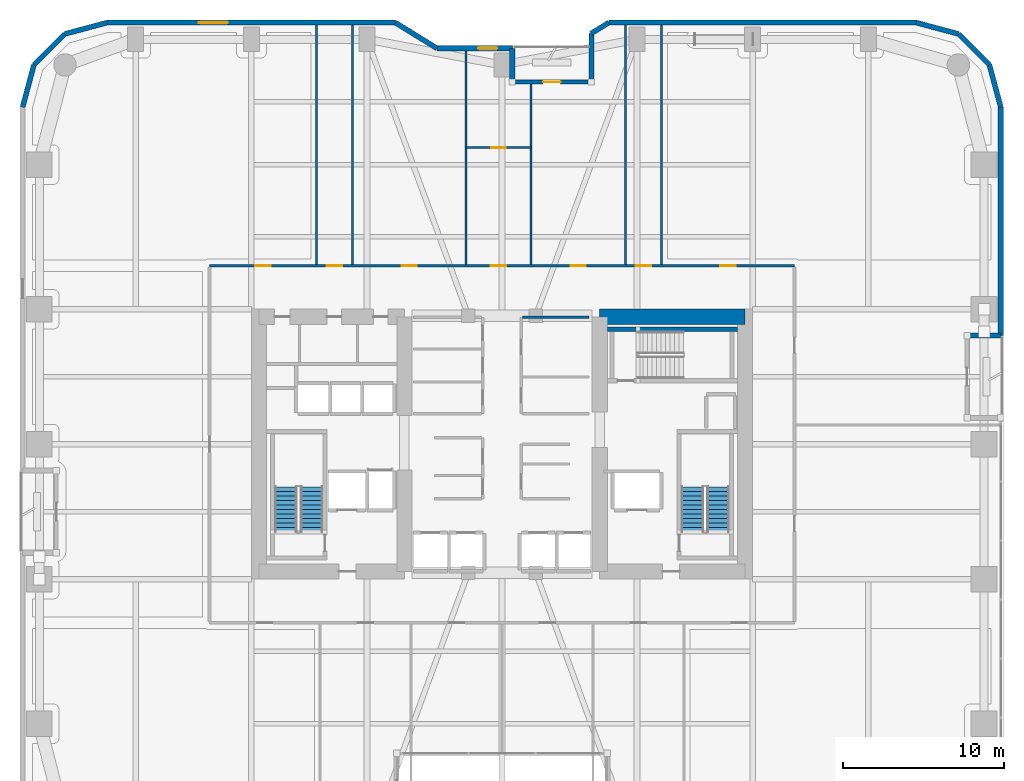
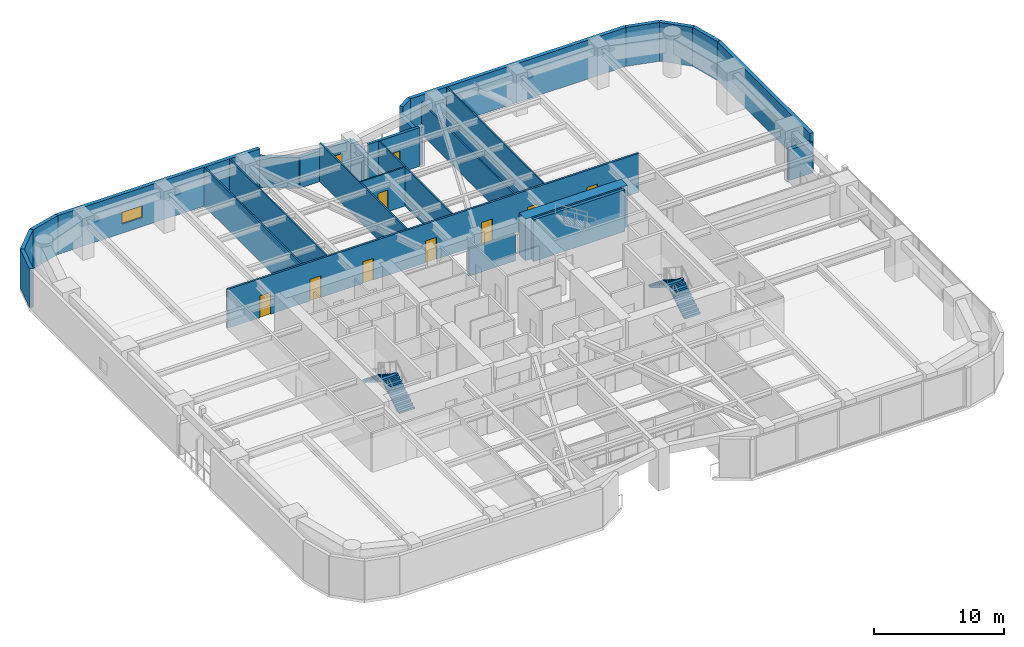
# One storey, part 21 of 26: 27 walls, 9 doors, 4 stair flights, 2 windows, 11 openings, 2 elements without a shape of their own.
"""IFC4 building model written with IfcOpenShell, lengths in metres."""

from ifc_helpers import new_model, si_unit, direction, frame, frame_2d, origin, place, context, subcontext, project, spatial, polyline, rectangle, outline, extrude, material, layer, layer_set, type_object, element, fill, aggregate, save


model = new_model("IFC4")

# Units and contexts
model_context = context("Model", 3, precision=1e-05, world=origin(), true_north=direction((0.0, 1.0)))
body_context = subcontext(model_context, "Body", "Model", "MODEL_VIEW")
ifc_project = project(units=[si_unit("LENGTHUNIT", "METRE"), si_unit("AREAUNIT", "SQUARE_METRE"), si_unit("VOLUMEUNIT", "CUBIC_METRE"), si_unit("PLANEANGLEUNIT", "RADIAN"), si_unit("MASSUNIT", "GRAM", prefix="KILO")], contexts=[model_context])

# Site, building, storey
site_placement = place(None, origin())
site = spatial("IfcSite", under=ifc_project, at=site_placement, CompositionType="ELEMENT")
building_placement = place(site_placement, origin())
building = spatial("IfcBuilding", under=site, at=building_placement, Name="Kiyonajd Concourse Tower", CompositionType="ELEMENT")
storey_placement = place(building_placement, frame((0.0, 0.0, 72.89990234375)))
storey = spatial("IfcBuildingStorey", under=building, at=storey_placement, Name="L19", CompositionType="ELEMENT", Elevation=72.89990234375)

# Walls
ifc_material_1 = material(Name="Concrete C80/95", Category="concrete")
ifc_layer_1 = layer(ifc_material_1, 0.949951171875)
ifc_layer_set_1 = layer_set([ifc_layer_1], Name="Concrete C80/95")
wall_type_1 = type_object("IfcWallType", Name="WL-CORE-950", PredefinedType="SHEAR", material=ifc_layer_set_1)
wall_1_placement = place(storey_placement, frame((54.074951171875, 43.925048828125, 0.0), z_axis=(0.0, 0.0, 1.0), x_axis=(1.0, 0.0, 0.0)))
element("IfcWall", 1, at=wall_1_placement, inside=storey, type_object=wall_type_1, Name="L19 East Core North Shear Wall", PredefinedType="SHEAR", context=body_context, shape_type="SweptSolid", body=[
    extrude(rectangle(XDim=9.050048828125, YDim=0.949951171875, at=frame_2d((4.52490234375, 0.0))), origin(), (0.0, 0.0, 1.0), 3.900146484375),
])
ifc_material_2 = material(Name="Precast concrete C50/60", Category="concrete")
ifc_layer_2 = layer(ifc_material_2, 0.320068359375)
ifc_layer_set_2 = layer_set([ifc_layer_2], Name="Precast concrete C50/60")
wall_type_2 = type_object("IfcWallType", Name="WL-EXT-320", PredefinedType="SOLIDWALL", material=ifc_layer_set_2)
wall_2_placement = place(storey_placement, frame((78.33349609375, 59.6171875, 0.0), z_axis=(0.0, 0.0, 1.0), x_axis=(0.25869736047, -0.965958423373, 0.0)))
element("IfcWall", 2, at=wall_2_placement, inside=storey, type_object=wall_type_2, Name="L19 Exterior Concrete Frame Wall 00", PredefinedType="SOLIDWALL", context=body_context, shape_type="SweptSolid", body=[
    extrude(rectangle(XDim=2.731201171875, YDim=0.320068359375, at=frame_2d((1.36572265625, 0.0))), origin(), (0.0, 0.0, 1.0), 3.64013671875),
])
wall_3_placement = place(storey_placement, frame((79.0400390625, 56.97900390625, 0.0), z_axis=(0.0, 0.0, 1.0), x_axis=(0.0, -1.0, 0.0)))
element("IfcWall", 3, at=wall_3_placement, inside=storey, type_object=wall_type_2, Name="L19 Exterior Concrete Frame Wall 01", PredefinedType="SOLIDWALL", context=body_context, shape_type="SweptSolid", body=[
    extrude(rectangle(XDim=14.218994140625, YDim=0.320068359375, at=frame_2d((7.109375, 0.0))), origin(), (0.0, 0.0, 1.0), 3.64013671875),
])
wall_4_placement = place(storey_placement, frame((79.0400390625, 42.760009765625, 0.0), z_axis=(0.0, 0.0, 1.0), x_axis=(-1.0, 0.0, 0.0)))
element("IfcWall", 4, at=wall_4_placement, inside=storey, type_object=wall_type_2, Name="L19 Exterior Concrete Frame Wall 02", PredefinedType="SOLIDWALL", context=body_context, shape_type="SweptSolid", body=[
    extrude(rectangle(XDim=2.10009765625, YDim=0.320068359375, at=frame_2d((1.050048828125, 0.0))), origin(), (0.0, 0.0, 1.0), 2.875),
])
wall_5_placement = place(storey_placement, frame((18.159912109375, 56.97900390625, 0.0), z_axis=(0.0, 0.0, 1.0), x_axis=(0.25869736047, 0.965958423373, 0.0)))
element("IfcWall", 5, at=wall_5_placement, inside=storey, type_object=wall_type_2, Name="L19 Exterior Concrete Frame Wall 26", PredefinedType="SOLIDWALL", context=body_context, shape_type="SweptSolid", body=[
    extrude(rectangle(XDim=2.731201171875, YDim=0.320068359375, at=frame_2d((1.36572265625, 0.0))), origin(), (0.0, 0.0, 1.0), 3.64013671875),
])
wall_6_placement = place(storey_placement, frame((18.866455078125, 59.6171875, 0.0), z_axis=(0.0, 0.0, 1.0), x_axis=(0.707106781187, 0.707106781187, 0.0)))
element("IfcWall", 6, at=wall_6_placement, inside=storey, type_object=wall_type_2, Name="L19 Exterior Concrete Frame Wall 27", PredefinedType="SOLIDWALL", context=body_context, shape_type="SweptSolid", body=[
    extrude(rectangle(XDim=2.7099609375, YDim=0.320068359375, at=frame_2d((1.35498046875, 0.0))), origin(), (0.0, 0.0, 1.0), 3.64013671875),
])
wall_7_placement = place(storey_placement, frame((20.78271484375, 61.533447265625, 0.0), z_axis=(0.0, 0.0, 1.0), x_axis=(0.965964405026, 0.25867502435, 0.0)))
element("IfcWall", 7, at=wall_7_placement, inside=storey, type_object=wall_type_2, Name="L19 Exterior Concrete Frame Wall 28", PredefinedType="SOLIDWALL", context=body_context, shape_type="SweptSolid", body=[
    extrude(rectangle(XDim=2.7314453125, YDim=0.320068359375, at=frame_2d((1.36572265625, 0.0))), origin(), (0.0, 0.0, 1.0), 3.64013671875),
])

# Wall, opening, window
wall_8_placement = place(storey_placement, frame((23.421142578125, 62.239990234375, 0.0), z_axis=(0.0, 0.0, 1.0), x_axis=(1.0, 0.0, 0.0)))
wall_8 = element("IfcWall", 8, at=wall_8_placement, inside=storey, type_object=wall_type_2, Name="L19 Exterior Concrete Frame Wall 29", PredefinedType="SOLIDWALL", context=body_context, shape_type="SweptSolid", body=[
    extrude(rectangle(XDim=17.93359375, YDim=0.320068359375, at=frame_2d((8.966796875, 0.0))), origin(), (0.0, 0.0, 1.0), 3.64013671875),
])
opening_1_placement = place(wall_8_placement, frame((5.714111328125, 0.0, 0.85009765625)))
opening_1 = element("IfcOpeningElement", 9, at=opening_1_placement, cuts=wall_8, Name="Opening WN1", PredefinedType="OPENING", context=body_context, shape_type="SweptSolid", body=[
    extrude(rectangle(XDim=1.800048828125, YDim=1.10009765625, at=frame_2d((0.89990234375, 0.550048828125))), frame((0.0, 0.169921875, 0.0), z_axis=(0.0, -1.0, 0.0), x_axis=(1.0, 0.0, 0.0)), (0.0, 0.0, 1.0), 0.340087890625),
])
ifc_material_3 = material(Name="Double Low-E Insulated Glass", Category="glass")
window_type_1 = type_object("IfcWindowType", Name="WN-VIS-1800x1100", PartitioningType="SINGLE_PANEL", PredefinedType="WINDOW", material=ifc_material_3)
window_1_placement = place(opening_1_placement, origin())
window_1 = element("IfcWindow", 10, at=window_1_placement, inside=storey, type_object=window_type_1, Name="L19 Modular Facade Vision Window 29", OverallHeight=1.10009765625, OverallWidth=1.800048828125, PartitioningType="SINGLE_PANEL", PredefinedType="WINDOW", context=body_context, shape_type="SweptSolid", body=[
    extrude(rectangle(XDim=1.800048828125, YDim=1.10009765625, at=frame_2d((0.89990234375, 0.550048828125))), frame((0.0, 0.030029296875, 0.0), z_axis=(0.0, -1.0, 0.0), x_axis=(1.0, 0.0, 0.0)), (0.0, 0.0, 1.0), 0.06005859375),
])
fill(opening_1, window_1)

# Wall
wall_9_placement = place(storey_placement, frame((41.354736328125, 62.239990234375, 0.0), z_axis=(0.0, 0.0, 1.0), x_axis=(0.851630857047, -0.524142044989, 0.0)))
element("IfcWall", 11, at=wall_9_placement, inside=storey, type_object=wall_type_2, Name="L19 Exterior Concrete Frame Wall 30", PredefinedType="SOLIDWALL", context=body_context, shape_type="SweptSolid", body=[
    extrude(rectangle(XDim=3.052734375, YDim=0.320068359375, at=frame_2d((1.5263671875, 0.0))), origin(), (0.0, 0.0, 1.0), 2.875),
])

# Wall, opening, window
wall_10_placement = place(storey_placement, frame((43.95458984375, 60.639892578125, 0.0), z_axis=(0.0, 0.0, 1.0), x_axis=(1.0, 0.0, 0.0)))
wall_10 = element("IfcWall", 12, at=wall_10_placement, inside=storey, type_object=wall_type_2, Name="L19 Exterior Concrete Frame Wall 31", PredefinedType="SOLIDWALL", context=body_context, shape_type="SweptSolid", body=[
    extrude(rectangle(XDim=4.685302734375, YDim=0.320068359375, at=frame_2d((2.3427734375, 0.0))), origin(), (0.0, 0.0, 1.0), 2.875),
])
opening_2_placement = place(wall_10_placement, frame((2.554931640625, 0.0, 0.85009765625)))
opening_2 = element("IfcOpeningElement", 13, at=opening_2_placement, cuts=wall_10, Name="Opening WN3", PredefinedType="OPENING", context=body_context, shape_type="SweptSolid", body=[
    extrude(rectangle(XDim=1.199951171875, YDim=1.10009765625, at=frame_2d((0.60009765625, 0.550048828125))), frame((0.0, 0.169921875, 0.0), z_axis=(0.0, -1.0, 0.0), x_axis=(1.0, 0.0, 0.0)), (0.0, 0.0, 1.0), 0.340087890625),
])
window_type_2 = type_object("IfcWindowType", Name="WN-VIS-1200x1100", PartitioningType="SINGLE_PANEL", PredefinedType="WINDOW", material=ifc_material_3)
window_2_placement = place(opening_2_placement, origin())
window_2 = element("IfcWindow", 14, at=window_2_placement, inside=storey, type_object=window_type_2, Name="L19 Modular Facade Vision Window 31", OverallHeight=1.10009765625, OverallWidth=1.199951171875, PartitioningType="SINGLE_PANEL", PredefinedType="WINDOW", context=body_context, shape_type="SweptSolid", body=[
    extrude(rectangle(XDim=1.199951171875, YDim=1.10009765625, at=frame_2d((0.60009765625, 0.550048828125))), frame((0.0, 0.030029296875, 0.0), z_axis=(0.0, -1.0, 0.0), x_axis=(1.0, 0.0, 0.0)), (0.0, 0.0, 1.0), 0.06005859375),
])
fill(opening_2, window_2)

# Walls
wall_11_placement = place(storey_placement, frame((48.639892578125, 60.639892578125, 0.0), z_axis=(0.0, 0.0, 1.0), x_axis=(0.0, -1.0, 0.0)))
element("IfcWall", 15, at=wall_11_placement, inside=storey, type_object=wall_type_2, Name="L19 Exterior Concrete Frame Wall 32", PredefinedType="SOLIDWALL", context=body_context, shape_type="SweptSolid", body=[
    extrude(rectangle(XDim=2.099853515625, YDim=0.320068359375, at=frame_2d((1.0498046875, 0.0))), origin(), (0.0, 0.0, 1.0), 2.875),
])
wall_12_placement = place(storey_placement, frame((53.56005859375, 58.5400390625, 0.0), z_axis=(0.0, 0.0, 1.0), x_axis=(0.0, 1.0, 0.0)))
element("IfcWall", 16, at=wall_12_placement, inside=storey, type_object=wall_type_2, Name="L19 Exterior Concrete Frame Wall 34", PredefinedType="SOLIDWALL", context=body_context, shape_type="SweptSolid", body=[
    extrude(rectangle(XDim=3.032470703125, YDim=0.320068359375, at=frame_2d((1.51611328125, 0.0))), origin(), (0.0, 0.0, 1.0), 2.875),
])
wall_13_placement = place(storey_placement, frame((53.56005859375, 61.572509765625, 0.0), z_axis=(0.0, 0.0, 1.0), x_axis=(0.851776724646, 0.523904964045, 0.0)))
element("IfcWall", 17, at=wall_13_placement, inside=storey, type_object=wall_type_2, Name="L19 Exterior Concrete Frame Wall 35", PredefinedType="SOLIDWALL", context=body_context, shape_type="SweptSolid", body=[
    extrude(rectangle(XDim=1.274169921875, YDim=0.320068359375, at=frame_2d((0.63720703125, 0.0))), origin(), (0.0, 0.0, 1.0), 3.64013671875),
])
wall_14_placement = place(storey_placement, frame((54.645263671875, 62.239990234375, 0.0), z_axis=(0.0, 0.0, 1.0), x_axis=(1.0, 0.0, 0.0)))
element("IfcWall", 18, at=wall_14_placement, inside=storey, type_object=wall_type_2, Name="L19 Exterior Concrete Frame Wall 36", PredefinedType="SOLIDWALL", context=body_context, shape_type="SweptSolid", body=[
    extrude(rectangle(XDim=19.133544921875, YDim=0.320068359375, at=frame_2d((9.56689453125, 0.0))), origin(), (0.0, 0.0, 1.0), 3.64013671875),
])
wall_15_placement = place(storey_placement, frame((73.77880859375, 62.239990234375, 0.0), z_axis=(0.0, 0.0, 1.0), x_axis=(0.965964405026, -0.25867502435, 0.0)))
element("IfcWall", 19, at=wall_15_placement, inside=storey, type_object=wall_type_2, Name="L19 Exterior Concrete Frame Wall 37", PredefinedType="SOLIDWALL", context=body_context, shape_type="SweptSolid", body=[
    extrude(rectangle(XDim=2.7314453125, YDim=0.320068359375, at=frame_2d((1.36572265625, 0.0))), origin(), (0.0, 0.0, 1.0), 3.64013671875),
])
wall_16_placement = place(storey_placement, frame((76.417236328125, 61.533447265625, 0.0), z_axis=(0.0, 0.0, 1.0), x_axis=(0.707106781187, -0.707106781187, 0.0)))
element("IfcWall", 20, at=wall_16_placement, inside=storey, type_object=wall_type_2, Name="L19 Exterior Concrete Frame Wall 38", PredefinedType="SOLIDWALL", context=body_context, shape_type="SweptSolid", body=[
    extrude(rectangle(XDim=2.7099609375, YDim=0.320068359375, at=frame_2d((1.35498046875, 0.0))), origin(), (0.0, 0.0, 1.0), 3.64013671875),
])

# Wall, opening, door
ifc_layer_3 = layer(ifc_material_2, 0.239990234375)
ifc_layer_set_3 = layer_set([ifc_layer_3], Name="Precast concrete C50/60")
wall_type_3 = type_object("IfcWallType", Name="WL-LOG-240", PredefinedType="SOLIDWALL", material=ifc_layer_set_3)
wall_17_placement = place(storey_placement, frame((48.8349609375, 58.5400390625, 0.0), z_axis=(0.0, 0.0, 1.0), x_axis=(1.0, 0.0, 0.0)))
wall_17 = element("IfcWall", 21, at=wall_17_placement, inside=storey, type_object=wall_type_3, Name="L19 Recessed Loggia Thermal Wall LOG-N", PredefinedType="SOLIDWALL", context=body_context, shape_type="SweptSolid", body=[
    extrude(rectangle(XDim=4.530029296875, YDim=0.239990234375, at=frame_2d((2.26513671875, 0.0))), origin(), (0.0, 0.0, 1.0), 3.64013671875),
])
opening_3_placement = place(wall_17_placement, frame((1.715087890625, 0.0, 0.0)))
opening_3 = element("IfcOpeningElement", 22, at=opening_3_placement, cuts=wall_17, Name="Opening DL2", PredefinedType="OPENING", context=body_context, shape_type="SweptSolid", body=[
    extrude(rectangle(XDim=1.10009765625, YDim=2.0400390625, at=frame_2d((0.550048828125, 1.02001953125))), frame((0.0, 0.1298828125, 0.0), z_axis=(0.0, -1.0, 0.0), x_axis=(1.0, 0.0, 0.0)), (0.0, 0.0, 1.0), 0.260009765625),
])
ifc_material_4 = material(Name="Thermally Broken Anodised Aluminium", Category="aluminium")
door_type_1 = type_object("IfcDoorType", Name="DR-LOG-1100", OperationType="NOTDEFINED", PredefinedType="DOOR", material=ifc_material_4)
door_1_placement = place(opening_3_placement, origin())
door_1 = element("IfcDoor", 23, at=door_1_placement, inside=storey, type_object=door_type_1, Name="L19 Engawa Loggia Access Door LOG-N", OperationType="SINGLE_SWING_RIGHT", OverallHeight=2.0400390625, OverallWidth=1.10009765625, PredefinedType="DOOR", context=body_context, shape_type="SweptSolid", body=[
    extrude(rectangle(XDim=1.10009765625, YDim=2.0400390625, at=frame_2d((0.550048828125, 1.02001953125))), frame((0.0, 0.02490234375, 0.0), z_axis=(0.0, -1.0, 0.0), x_axis=(1.0, 0.0, 0.0)), (0.0, 0.0, 1.0), 0.050048828125),
])
fill(opening_3, door_1)

# Walls
ifc_material_5 = material(Name="Gypsum Board on Cold-Formed Steel Stud", Category="steel")
ifc_layer_4 = layer(ifc_material_5, 0.125)
ifc_layer_set_4 = layer_set([ifc_layer_4], Name="Gypsum Board on Cold-Formed Steel Stud")
wall_type_4 = type_object("IfcWallType", Name="WL-PART-125", PredefinedType="PARTITIONING", material=ifc_layer_set_4)
for number, where, z_axis, x_axis, name in (
    (24, (36.4599609375, 47.197021484375, 0.0), (0.0, 0.0, 1.0), (0.0, 1.0, 0.0), "L19 Interior Partition Wall"),
    (25, (38.68994140625, 47.197021484375, 0.0), (0.0, 0.0, 1.0), (0.0, 1.0, 0.0), "L19 Interior Partition Wall"),
):
    element("IfcWall", number, at=place(storey_placement, frame(where, z_axis=z_axis, x_axis=x_axis)), inside=storey, type_object=wall_type_4, Name=name, PredefinedType="PARTITIONING", context=body_context, shape_type="SweptSolid", body=[
        extrude(rectangle(XDim=14.887939453125, YDim=0.125, at=frame_2d((7.44384765625, 0.0))), origin(), (0.0, 0.0, 1.0), 3.64013671875),
    ])

# Wall, opening, door
wall_18_placement = place(storey_placement, frame((45.77001953125, 54.449951171875, 0.0), z_axis=(0.0, 0.0, 1.0), x_axis=(1.0, 0.0, 0.0)))
wall_18 = element("IfcWall", 26, at=wall_18_placement, inside=storey, type_object=wall_type_4, Name="L19 Interior Partition Wall", PredefinedType="PARTITIONING", context=body_context, shape_type="SweptSolid", body=[
    extrude(rectangle(XDim=4.030029296875, YDim=0.125, at=frame_2d((2.01513671875, 0.0))), origin(), (0.0, 0.0, 1.0), 3.64013671875),
])
opening_4_placement = place(wall_18_placement, frame((1.56494140625, 0.0, 0.0)))
opening_4 = element("IfcOpeningElement", 27, at=opening_4_placement, cuts=wall_18, Name="Opening DI2", PredefinedType="OPENING", context=body_context, shape_type="SweptSolid", body=[
    extrude(rectangle(XDim=0.89990234375, YDim=2.02001953125, at=frame_2d((0.449951171875, 1.010009765625))), frame((0.0, 0.072509765625, 0.0), z_axis=(0.0, -1.0, 0.0), x_axis=(1.0, 0.0, 0.0)), (0.0, 0.0, 1.0), 0.14501953125),
])
ifc_material_6 = material(Name="Natural Oak Acoustic Timber Veneer", Category="wood")
door_type_2 = type_object("IfcDoorType", Name="DR-INT-900", OperationType="NOTDEFINED", PredefinedType="DOOR", material=ifc_material_6)
door_2_placement = place(opening_4_placement, origin())
door_2 = element("IfcDoor", 28, at=door_2_placement, inside=storey, type_object=door_type_2, Name="L19 Interior Door", OperationType="SINGLE_SWING_LEFT", OverallHeight=2.02001953125, OverallWidth=0.89990234375, PredefinedType="DOOR", context=body_context, shape_type="SweptSolid", body=[
    extrude(rectangle(XDim=0.89990234375, YDim=2.02001953125, at=frame_2d((0.449951171875, 1.010009765625))), frame((0.0, 0.02490234375, 0.0), z_axis=(0.0, -1.0, 0.0), x_axis=(1.0, 0.0, 0.0)), (0.0, 0.0, 1.0), 0.050048828125),
])
fill(opening_4, door_2)

# Walls
wall_19_placement = place(storey_placement, frame((45.77001953125, 47.197021484375, 0.0), z_axis=(0.0, 0.0, 1.0), x_axis=(0.0, 1.0, 0.0)))
element("IfcWall", 29, at=wall_19_placement, inside=storey, type_object=wall_type_4, Name="L19 Interior Partition Wall", PredefinedType="PARTITIONING", context=body_context, shape_type="SweptSolid", body=[
    extrude(rectangle(XDim=13.2880859375, YDim=0.125, at=frame_2d((6.64404296875, 0.0))), origin(), (0.0, 0.0, 1.0), 3.64013671875),
])
wall_20_placement = place(storey_placement, frame((49.800048828125, 47.197021484375, 0.0), z_axis=(0.0, 0.0, 1.0), x_axis=(0.0, 1.0, 0.0)))
element("IfcWall", 30, at=wall_20_placement, inside=storey, type_object=wall_type_4, Name="L19 Interior Partition Wall", PredefinedType="PARTITIONING", context=body_context, shape_type="SweptSolid", body=[
    extrude(rectangle(XDim=11.22802734375, YDim=0.125, at=frame_2d((5.614013671875, 0.0))), origin(), (0.0, 0.0, 1.0), 3.64013671875),
])
wall_21_placement = place(storey_placement, frame((55.68994140625, 47.197021484375, 0.0), z_axis=(0.0, 0.0, 1.0), x_axis=(0.0, 1.0, 0.0)))
element("IfcWall", 31, at=wall_21_placement, inside=storey, type_object=wall_type_4, Name="L19 Interior Partition Wall", PredefinedType="PARTITIONING", context=body_context, shape_type="SweptSolid", body=[
    extrude(rectangle(XDim=14.887939453125, YDim=0.125, at=frame_2d((7.44384765625, 0.0))), origin(), (0.0, 0.0, 1.0), 3.003173828125),
])
wall_22_placement = place(storey_placement, frame((57.919921875, 47.197021484375, 0.0), z_axis=(0.0, 0.0, 1.0), x_axis=(0.0, 1.0, 0.0)))
element("IfcWall", 32, at=wall_22_placement, inside=storey, type_object=wall_type_4, Name="L19 Interior Partition Wall", PredefinedType="PARTITIONING", context=body_context, shape_type="SweptSolid", body=[
    extrude(rectangle(XDim=14.887939453125, YDim=0.125, at=frame_2d((7.44384765625, 0.0))), origin(), (0.0, 0.0, 1.0), 3.64013671875),
])
ifc_layer_5 = layer(ifc_material_5, 0.169921875)
ifc_layer_set_5 = layer_set([ifc_layer_5], Name="Gypsum Board on Cold-Formed Steel Stud")
wall_type_5 = type_object("IfcWallType", Name="WL-SMK-170", PredefinedType="PARTITIONING", material=ifc_layer_set_5)
wall_23_placement = place(storey_placement, frame((49.287109375, 43.89990234375, 0.0), z_axis=(0.0, 0.0, 1.0), x_axis=(1.0, 0.0, 0.0)))
element("IfcWall", 33, at=wall_23_placement, inside=storey, type_object=wall_type_5, Name="L19 Interior Partition Wall", PredefinedType="PARTITIONING", context=body_context, shape_type="SweptSolid", body=[
    extrude(rectangle(XDim=4.11279296875, YDim=0.169921875, at=frame_2d((2.056396484375, 0.0))), origin(), (0.0, 0.0, 1.0), 2.525146484375),
])

# Wall, openings, doors
wall_24_placement = place(storey_placement, frame((29.800048828125, 47.110107421875, 0.0), z_axis=(0.0, 0.0, 1.0), x_axis=(1.0, 0.0, 0.0)))
wall_24 = element("IfcWall", 34, at=wall_24_placement, inside=storey, type_object=wall_type_5, Name="L19 Interior Partition Wall", PredefinedType="PARTITIONING", context=body_context, shape_type="SweptSolid", body=[
    extrude(rectangle(XDim=36.39990234375, YDim=0.169921875, at=frame_2d((18.199951171875, 0.0))), origin(), (0.0, 0.0, 1.0), 3.64013671875),
])
opening_5_placement = place(wall_24_placement, frame((2.85498046875, 0.0, 0.0)))
opening_5 = element("IfcOpeningElement", 35, at=opening_5_placement, cuts=wall_24, Name="Opening DI1", PredefinedType="OPENING", context=body_context, shape_type="SweptSolid", body=[
    extrude(rectangle(XDim=0.949951171875, YDim=2.0400390625, at=frame_2d((0.47509765625, 1.02001953125))), frame((0.0, 0.094970703125, 0.0), z_axis=(0.0, -1.0, 0.0), x_axis=(1.0, 0.0, 0.0)), (0.0, 0.0, 1.0), 0.18994140625),
])
opening_6_placement = place(wall_24_placement, frame((7.300048828125, 0.0, 0.0)))
opening_6 = element("IfcOpeningElement", 36, at=opening_6_placement, cuts=wall_24, Name="Opening DI1", PredefinedType="OPENING", context=body_context, shape_type="SweptSolid", body=[
    extrude(rectangle(XDim=0.949951171875, YDim=2.0400390625, at=frame_2d((0.47509765625, 1.02001953125))), frame((0.0, 0.094970703125, 0.0), z_axis=(0.0, -1.0, 0.0), x_axis=(1.0, 0.0, 0.0)), (0.0, 0.0, 1.0), 0.18994140625),
])
opening_7_placement = place(wall_24_placement, frame((11.955078125, 0.0, 0.0)))
opening_7 = element("IfcOpeningElement", 37, at=opening_7_placement, cuts=wall_24, Name="Opening DI1", PredefinedType="OPENING", context=body_context, shape_type="SweptSolid", body=[
    extrude(rectangle(XDim=0.949951171875, YDim=2.0400390625, at=frame_2d((0.47509765625, 1.02001953125))), frame((0.0, 0.094970703125, 0.0), z_axis=(0.0, -1.0, 0.0), x_axis=(1.0, 0.0, 0.0)), (0.0, 0.0, 1.0), 0.18994140625),
])
opening_8_placement = place(wall_24_placement, frame((17.510009765625, 0.0, 0.0)))
opening_8 = element("IfcOpeningElement", 38, at=opening_8_placement, cuts=wall_24, Name="Opening DI1", PredefinedType="OPENING", context=body_context, shape_type="SweptSolid", body=[
    extrude(rectangle(XDim=0.949951171875, YDim=2.0400390625, at=frame_2d((0.47509765625, 1.02001953125))), frame((0.0, 0.094970703125, 0.0), z_axis=(0.0, -1.0, 0.0), x_axis=(1.0, 0.0, 0.0)), (0.0, 0.0, 1.0), 0.18994140625),
])
opening_9_placement = place(wall_24_placement, frame((22.469970703125, 0.0, 0.0)))
opening_9 = element("IfcOpeningElement", 39, at=opening_9_placement, cuts=wall_24, Name="Opening DI1", PredefinedType="OPENING", context=body_context, shape_type="SweptSolid", body=[
    extrude(rectangle(XDim=0.949951171875, YDim=2.0400390625, at=frame_2d((0.47509765625, 1.02001953125))), frame((0.0, 0.094970703125, 0.0), z_axis=(0.0, -1.0, 0.0), x_axis=(1.0, 0.0, 0.0)), (0.0, 0.0, 1.0), 0.18994140625),
])
opening_10_placement = place(wall_24_placement, frame((26.530029296875, 0.0, 0.0)))
opening_10 = element("IfcOpeningElement", 40, at=opening_10_placement, cuts=wall_24, Name="Opening DI1", PredefinedType="OPENING", context=body_context, shape_type="SweptSolid", body=[
    extrude(rectangle(XDim=0.949951171875, YDim=2.0400390625, at=frame_2d((0.47509765625, 1.02001953125))), frame((0.0, 0.094970703125, 0.0), z_axis=(0.0, -1.0, 0.0), x_axis=(1.0, 0.0, 0.0)), (0.0, 0.0, 1.0), 0.18994140625),
])
opening_11_placement = place(wall_24_placement, frame((31.784912109375, 0.0, 0.0)))
opening_11 = element("IfcOpeningElement", 41, at=opening_11_placement, cuts=wall_24, Name="Opening DI1", PredefinedType="OPENING", context=body_context, shape_type="SweptSolid", body=[
    extrude(rectangle(XDim=0.949951171875, YDim=2.0400390625, at=frame_2d((0.47509765625, 1.02001953125))), frame((0.0, 0.094970703125, 0.0), z_axis=(0.0, -1.0, 0.0), x_axis=(1.0, 0.0, 0.0)), (0.0, 0.0, 1.0), 0.18994140625),
])
door_type_3 = type_object("IfcDoorType", Name="DR-INT-950", OperationType="NOTDEFINED", PredefinedType="DOOR", material=ifc_material_6)
door_3_placement = place(opening_5_placement, origin())
door_3 = element("IfcDoor", 42, at=door_3_placement, inside=storey, type_object=door_type_3, Name="L19 Interior Door", OperationType="SINGLE_SWING_RIGHT", OverallHeight=2.0400390625, OverallWidth=0.949951171875, PredefinedType="DOOR", context=body_context, shape_type="SweptSolid", body=[
    extrude(rectangle(XDim=0.949951171875, YDim=2.0400390625, at=frame_2d((0.47509765625, 1.02001953125))), frame((0.0, 0.02490234375, 0.0), z_axis=(0.0, -1.0, 0.0), x_axis=(1.0, 0.0, 0.0)), (0.0, 0.0, 1.0), 0.050048828125),
])
fill(opening_5, door_3)
door_4_placement = place(opening_6_placement, origin())
door_4 = element("IfcDoor", 43, at=door_4_placement, inside=storey, type_object=door_type_3, Name="L19 Interior Door", OperationType="SINGLE_SWING_LEFT", OverallHeight=2.0400390625, OverallWidth=0.949951171875, PredefinedType="DOOR", context=body_context, shape_type="SweptSolid", body=[
    extrude(rectangle(XDim=0.949951171875, YDim=2.0400390625, at=frame_2d((0.47509765625, 1.02001953125))), frame((0.0, 0.02490234375, 0.0), z_axis=(0.0, -1.0, 0.0), x_axis=(1.0, 0.0, 0.0)), (0.0, 0.0, 1.0), 0.050048828125),
])
fill(opening_6, door_4)
door_5_placement = place(opening_7_placement, origin())
door_5 = element("IfcDoor", 44, at=door_5_placement, inside=storey, type_object=door_type_3, Name="L19 Interior Door", OperationType="SINGLE_SWING_RIGHT", OverallHeight=2.0400390625, OverallWidth=0.949951171875, PredefinedType="DOOR", context=body_context, shape_type="SweptSolid", body=[
    extrude(rectangle(XDim=0.949951171875, YDim=2.0400390625, at=frame_2d((0.47509765625, 1.02001953125))), frame((0.0, 0.02490234375, 0.0), z_axis=(0.0, -1.0, 0.0), x_axis=(1.0, 0.0, 0.0)), (0.0, 0.0, 1.0), 0.050048828125),
])
fill(opening_7, door_5)
door_6_placement = place(opening_8_placement, origin())
door_6 = element("IfcDoor", 45, at=door_6_placement, inside=storey, type_object=door_type_3, Name="L19 Interior Door", OperationType="SINGLE_SWING_RIGHT", OverallHeight=2.0400390625, OverallWidth=0.949951171875, PredefinedType="DOOR", context=body_context, shape_type="SweptSolid", body=[
    extrude(rectangle(XDim=0.949951171875, YDim=2.0400390625, at=frame_2d((0.47509765625, 1.02001953125))), frame((0.0, 0.02490234375, 0.0), z_axis=(0.0, -1.0, 0.0), x_axis=(1.0, 0.0, 0.0)), (0.0, 0.0, 1.0), 0.050048828125),
])
fill(opening_8, door_6)
door_7_placement = place(opening_9_placement, origin())
door_7 = element("IfcDoor", 46, at=door_7_placement, inside=storey, type_object=door_type_3, Name="L19 Interior Door", OperationType="SINGLE_SWING_LEFT", OverallHeight=2.0400390625, OverallWidth=0.949951171875, PredefinedType="DOOR", context=body_context, shape_type="SweptSolid", body=[
    extrude(rectangle(XDim=0.949951171875, YDim=2.0400390625, at=frame_2d((0.47509765625, 1.02001953125))), frame((0.0, 0.02490234375, 0.0), z_axis=(0.0, -1.0, 0.0), x_axis=(1.0, 0.0, 0.0)), (0.0, 0.0, 1.0), 0.050048828125),
])
fill(opening_9, door_7)
door_8_placement = place(opening_10_placement, origin())
door_8 = element("IfcDoor", 47, at=door_8_placement, inside=storey, type_object=door_type_3, Name="L19 Interior Door", OperationType="SINGLE_SWING_RIGHT", OverallHeight=2.0400390625, OverallWidth=0.949951171875, PredefinedType="DOOR", context=body_context, shape_type="SweptSolid", body=[
    extrude(rectangle(XDim=0.949951171875, YDim=2.0400390625, at=frame_2d((0.47509765625, 1.02001953125))), frame((0.0, 0.02490234375, 0.0), z_axis=(0.0, -1.0, 0.0), x_axis=(1.0, 0.0, 0.0)), (0.0, 0.0, 1.0), 0.050048828125),
])
fill(opening_10, door_8)
door_9_placement = place(opening_11_placement, origin())
door_9 = element("IfcDoor", 48, at=door_9_placement, inside=storey, type_object=door_type_3, Name="L19 Interior Door", OperationType="SINGLE_SWING_LEFT", OverallHeight=2.0400390625, OverallWidth=0.949951171875, PredefinedType="DOOR", context=body_context, shape_type="SweptSolid", body=[
    extrude(rectangle(XDim=0.949951171875, YDim=2.0400390625, at=frame_2d((0.47509765625, 1.02001953125))), frame((0.0, 0.02490234375, 0.0), z_axis=(0.0, -1.0, 0.0), x_axis=(1.0, 0.0, 0.0)), (0.0, 0.0, 1.0), 0.050048828125),
])
fill(opening_11, door_9)

# Wall
ifc_material_7 = material(Name="Concrete C50/60", Category="concrete")
ifc_layer_6 = layer(ifc_material_7, 0.260009765625)
ifc_layer_set_6 = layer_set([ifc_layer_6], Name="Concrete C50/60")
wall_type_6 = type_object("IfcWallType", Name="WL-STAIR-260", PredefinedType="SHEAR", material=ifc_layer_set_6)
wall_25_placement = place(storey_placement, frame((54.550048828125, 43.14990234375, 0.0), z_axis=(0.0, 0.0, 1.0), x_axis=(1.0, 0.0, 0.0)))
element("IfcWall", 49, at=wall_25_placement, inside=storey, type_object=wall_type_6, Name="L19 Stair ST3 Structural North Wall", PredefinedType="SHEAR", context=body_context, shape_type="SweptSolid", body=[
    extrude(rectangle(XDim=8.099853515625, YDim=0.260009765625, at=frame_2d((4.0498046875, 0.0))), origin(), (0.0, 0.0, 1.0), 3.900146484375),
])

# Stair, stair flights
ifc_material_8 = material(Name="Concrete C40/50", Category="concrete")
stair_type = type_object("IfcStairType", Name="ST-DLG-22R", PredefinedType="HALF_TURN_STAIR", material=ifc_material_8)
stair_1_placement = place(storey_placement, origin())
stair_1 = element("IfcStair", 50, at=stair_1_placement, inside=storey, type_object=stair_type, Name="L19 Protected Exit Stair ST1", PredefinedType="HALF_TURN_STAIR")
stair_flight_type = type_object("IfcStairFlightType", Name="SF-STR-22R", PredefinedType="STRAIGHT", material=ifc_material_8)
stair_flight_1_placement = place(storey_placement, frame((36.14990234375, 30.550048828125, 0.0), z_axis=(0.0, 0.0, 1.0), x_axis=(0.0, 1.0, 0.0)))
stair_flight_1 = element("IfcStairFlight", 51, at=stair_flight_1_placement, type_object=stair_flight_type, Name="ST1 flight 1", NumberOfRisers=11, NumberOfTreads=10, PredefinedType="STRAIGHT", RiserHeight=0.177272727, TreadLength=0.28, context=body_context, shape_type="SweptSolid", body=[
    extrude(outline(polyline([(0.0, 0.0), (0.0, 0.17724609375), (0.280029296875, 0.17724609375), (0.280029296875, 0.3544921875), (0.56005859375, 0.3544921875), (0.56005859375, 0.53173828125), (0.840087890625, 0.53173828125), (0.840087890625, 0.708984375), (1.1201171875, 0.708984375), (1.1201171875, 0.886474609375), (1.39990234375, 0.886474609375), (1.39990234375, 1.063720703125), (1.679931640625, 1.063720703125), (1.679931640625, 1.240966796875), (1.9599609375, 1.240966796875), (1.9599609375, 1.418212890625), (2.239990234375, 1.418212890625), (2.239990234375, 1.595458984375), (2.52001953125, 1.595458984375), (2.52001953125, 1.772705078125), (2.800048828125, 1.772705078125), (2.800048828125, 1.949951171875), (2.800048828125, 1.59521484375), (0.2802734375, 0.0), (0.0, 0.0)])), frame((0.0, 0.699951171875, 0.0), z_axis=(0.0, -1.0, 0.0), x_axis=(1.0, 0.0, 0.0)), (0.0, 0.0, 1.0), 1.39990234375),
])
stair_flight_2_placement = place(storey_placement, frame((34.550048828125, 33.35009765625, 1.9501953125), z_axis=(0.0, 0.0, 1.0), x_axis=(0.0, -1.0, 0.0)))
stair_flight_2 = element("IfcStairFlight", 52, at=stair_flight_2_placement, type_object=stair_flight_type, Name="ST1 flight 2", NumberOfRisers=11, NumberOfTreads=10, PredefinedType="STRAIGHT", RiserHeight=0.177272727, TreadLength=0.28, context=body_context, shape_type="SweptSolid", body=[
    extrude(outline(polyline([(0.0, 0.0), (0.0, 0.17724609375), (0.280029296875, 0.17724609375), (0.280029296875, 0.3544921875), (0.56005859375, 0.3544921875), (0.56005859375, 0.53173828125), (0.840087890625, 0.53173828125), (0.840087890625, 0.708984375), (1.1201171875, 0.708984375), (1.1201171875, 0.886474609375), (1.39990234375, 0.886474609375), (1.39990234375, 1.063720703125), (1.679931640625, 1.063720703125), (1.679931640625, 1.240966796875), (1.9599609375, 1.240966796875), (1.9599609375, 1.418212890625), (2.239990234375, 1.418212890625), (2.239990234375, 1.595458984375), (2.52001953125, 1.595458984375), (2.52001953125, 1.772705078125), (2.800048828125, 1.772705078125), (2.800048828125, 1.949951171875), (2.800048828125, 1.59521484375), (0.2802734375, 0.0), (0.0, 0.0)])), frame((0.0, 0.699951171875, 0.0), z_axis=(0.0, -1.0, 0.0), x_axis=(1.0, 0.0, 0.0)), (0.0, 0.0, 1.0), 1.39990234375),
])
aggregate(stair_1, [stair_flight_1, stair_flight_2])

stair_2_placement = place(storey_placement, origin())
stair_2 = element("IfcStair", 53, at=stair_2_placement, inside=storey, type_object=stair_type, Name="L19 Protected Exit Stair ST2", PredefinedType="HALF_TURN_STAIR")
stair_flight_3_placement = place(storey_placement, frame((61.449951171875, 30.550048828125, 0.0), z_axis=(0.0, 0.0, 1.0), x_axis=(0.0, 1.0, 0.0)))
stair_flight_3 = element("IfcStairFlight", 54, at=stair_flight_3_placement, type_object=stair_flight_type, Name="ST2 flight 1", NumberOfRisers=11, NumberOfTreads=10, PredefinedType="STRAIGHT", RiserHeight=0.177272727, TreadLength=0.28, context=body_context, shape_type="SweptSolid", body=[
    extrude(outline(polyline([(0.0, 0.0), (0.0, 0.17724609375), (0.280029296875, 0.17724609375), (0.280029296875, 0.3544921875), (0.56005859375, 0.3544921875), (0.56005859375, 0.53173828125), (0.840087890625, 0.53173828125), (0.840087890625, 0.708984375), (1.1201171875, 0.708984375), (1.1201171875, 0.886474609375), (1.39990234375, 0.886474609375), (1.39990234375, 1.063720703125), (1.679931640625, 1.063720703125), (1.679931640625, 1.240966796875), (1.9599609375, 1.240966796875), (1.9599609375, 1.418212890625), (2.239990234375, 1.418212890625), (2.239990234375, 1.595458984375), (2.52001953125, 1.595458984375), (2.52001953125, 1.772705078125), (2.800048828125, 1.772705078125), (2.800048828125, 1.949951171875), (2.800048828125, 1.59521484375), (0.2802734375, 0.0), (0.0, 0.0)])), frame((0.0, 0.699951171875, 0.0), z_axis=(0.0, -1.0, 0.0), x_axis=(1.0, 0.0, 0.0)), (0.0, 0.0, 1.0), 1.39990234375),
])
stair_flight_4_placement = place(storey_placement, frame((59.85009765625, 33.35009765625, 1.9501953125), z_axis=(0.0, 0.0, 1.0), x_axis=(0.0, -1.0, 0.0)))
stair_flight_4 = element("IfcStairFlight", 55, at=stair_flight_4_placement, type_object=stair_flight_type, Name="ST2 flight 2", NumberOfRisers=11, NumberOfTreads=10, PredefinedType="STRAIGHT", RiserHeight=0.177272727, TreadLength=0.28, context=body_context, shape_type="SweptSolid", body=[
    extrude(outline(polyline([(0.0, 0.0), (0.0, 0.17724609375), (0.280029296875, 0.17724609375), (0.280029296875, 0.3544921875), (0.56005859375, 0.3544921875), (0.56005859375, 0.53173828125), (0.840087890625, 0.53173828125), (0.840087890625, 0.708984375), (1.1201171875, 0.708984375), (1.1201171875, 0.886474609375), (1.39990234375, 0.886474609375), (1.39990234375, 1.063720703125), (1.679931640625, 1.063720703125), (1.679931640625, 1.240966796875), (1.9599609375, 1.240966796875), (1.9599609375, 1.418212890625), (2.239990234375, 1.418212890625), (2.239990234375, 1.595458984375), (2.52001953125, 1.595458984375), (2.52001953125, 1.772705078125), (2.800048828125, 1.772705078125), (2.800048828125, 1.949951171875), (2.800048828125, 1.59521484375), (0.2802734375, 0.0), (0.0, 0.0)])), frame((0.0, 0.699951171875, 0.0), z_axis=(0.0, -1.0, 0.0), x_axis=(1.0, 0.0, 0.0)), (0.0, 0.0, 1.0), 1.39990234375),
])
aggregate(stair_2, [stair_flight_3, stair_flight_4])

save(model, "model.ifc")
